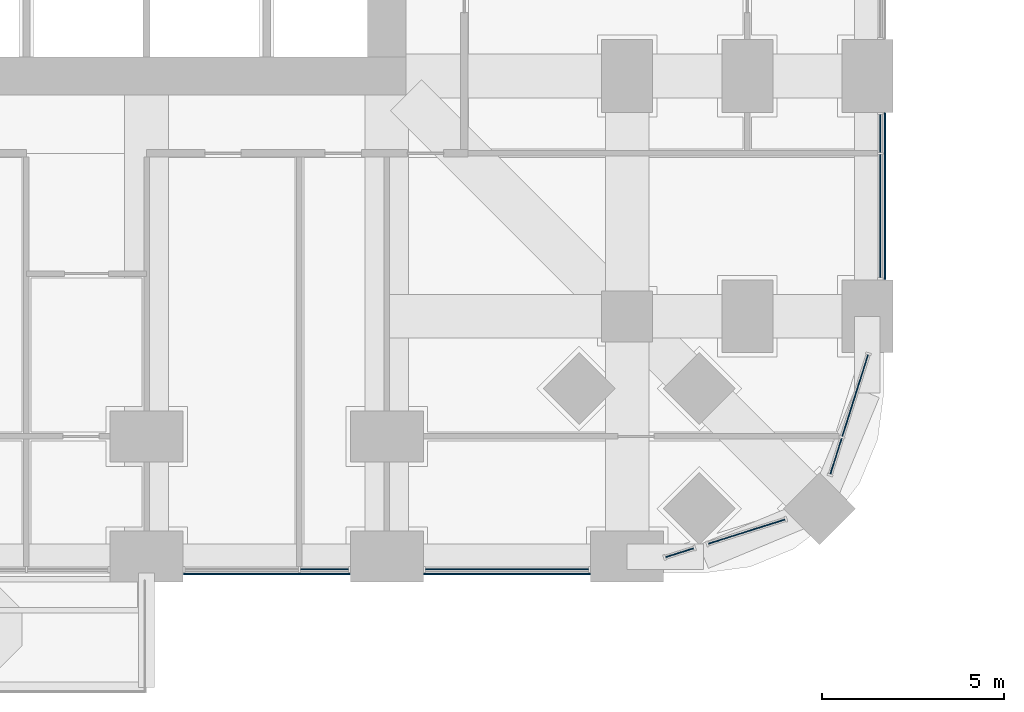
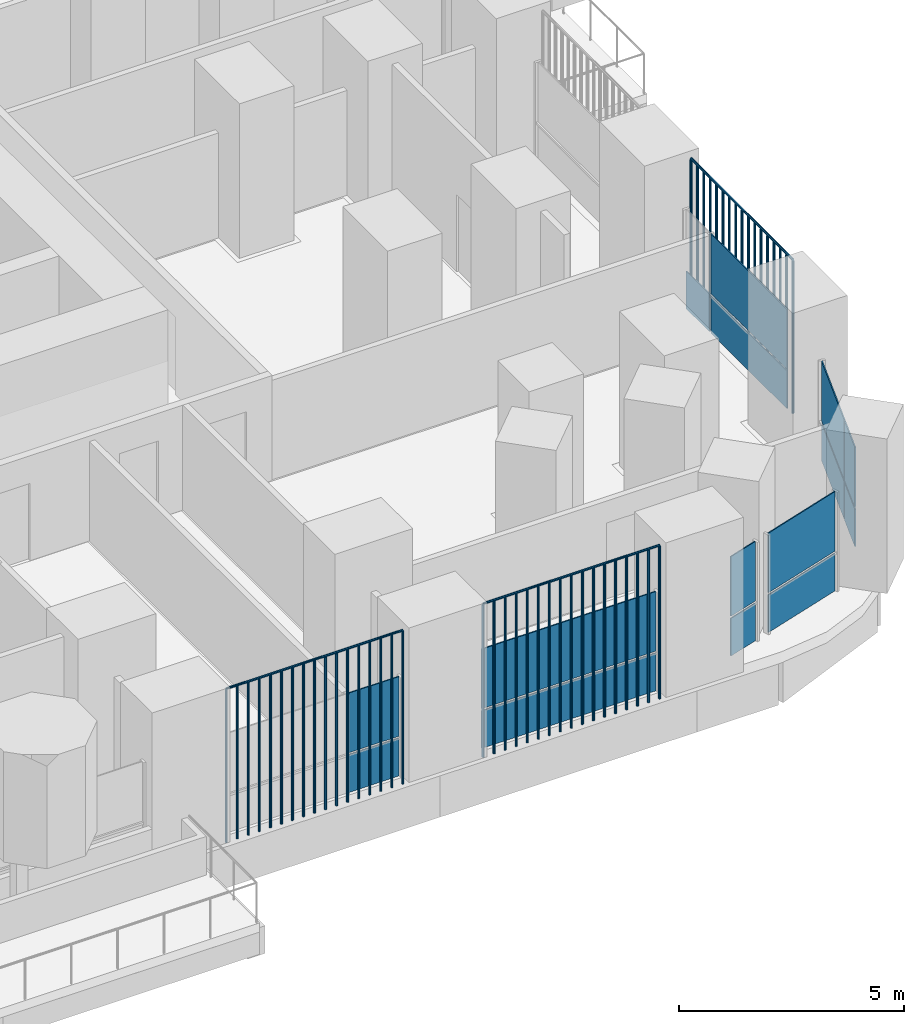
# One storey, part 12 of 24: 18 plates, 6 elements without a shape of their own.
"""IFC4 building model written with IfcOpenShell, lengths in metres."""

from ifc_helpers import new_model, si_unit, direction, frame, origin, origin_2d, place, context, subcontext, project, spatial, polyline, rectangle, outline, extrude, material, layer, layer_set, type_object, element, aggregate, save


model = new_model("IFC4")

# Units and contexts
model_context = context("Model", 3, precision=1e-05, world=origin(), true_north=direction((0.0, 1.0)))
body_context = subcontext(model_context, "Body", "Model", "MODEL_VIEW")
ifc_project = project(units=[si_unit("LENGTHUNIT", "METRE"), si_unit("AREAUNIT", "SQUARE_METRE"), si_unit("VOLUMEUNIT", "CUBIC_METRE"), si_unit("PLANEANGLEUNIT", "RADIAN"), si_unit("MASSUNIT", "GRAM", prefix="KILO")], contexts=[model_context])

# Site, building, storey
site_placement = place(None, origin())
site = spatial("IfcSite", under=ifc_project, at=site_placement, CompositionType="ELEMENT")
building_placement = place(site_placement, origin())
building = spatial("IfcBuilding", under=site, at=building_placement, Name="Cobogo Forest Laboratory Tower", CompositionType="ELEMENT")
storey_placement = place(building_placement, frame((0.0, 0.0, 17.10009765625)))
storey = spatial("IfcBuildingStorey", under=building, at=storey_placement, Name="L03", CompositionType="ELEMENT", Elevation=17.10009765625)

# Curtain wall, plates
ifc_material_1 = material(Name="Aluminium curtain wall", Category="aluminium")
curtain_wall_type = type_object("IfcCurtainWallType", Name="CW-1 unitised curtain wall, clear glazing, laboratory floors zones A and B", PredefinedType="USERDEFINED", material=ifc_material_1)
curtain_wall_1_placement = place(storey_placement, origin())
curtain_wall_1 = element("IfcCurtainWall", 1, at=curtain_wall_1_placement, inside=storey, type_object=curtain_wall_type, Name="Curtain wall 05 L03", ObjectType="UNITISED CURTAIN WALL", PredefinedType="USERDEFINED")
ifc_material_2 = material(Name="Clear insulated glass", Category="glass")
ifc_layer = layer(ifc_material_2, 0.028076171875)
ifc_layer_set = layer_set([ifc_layer], Name="GP-1 clear insulated glass unit 28")
plate_type_1 = type_object("IfcPlateType", Name="GP-1 clear insulated glass unit 28", PredefinedType="CURTAIN_PANEL", material=ifc_layer_set)
plate_1_placement = place(storey_placement, frame((37.885009765625, -0.35009765625, 0.0), z_axis=(0.0, 0.0, 1.0), x_axis=(1.0, 0.0, 0.0)))
plate_1 = element("IfcPlate", 2, at=plate_1_placement, type_object=plate_type_1, Name="CW-1 panel 2.1", PredefinedType="CURTAIN_PANEL", context=body_context, shape_type="SweptSolid", body=[
    extrude(rectangle(XDim=1.31005859375, YDim=0.028076171875, at=origin_2d()), origin(), (0.0, 0.0, 1.0), 1.02001953125),
])
plate_2_placement = place(storey_placement, frame((37.885009765625, -0.35009765625, 1.079833984375), z_axis=(0.0, 0.0, 1.0), x_axis=(1.0, 0.0, 0.0)))
plate_2 = element("IfcPlate", 3, at=plate_2_placement, type_object=plate_type_1, Name="CW-1 panel 2.2", PredefinedType="CURTAIN_PANEL", context=body_context, shape_type="SweptSolid", body=[
    extrude(rectangle(XDim=1.31005859375, YDim=0.028076171875, at=origin_2d()), origin(), (0.0, 0.0, 1.0), 1.6201171875),
])
aggregate(curtain_wall_1, [plate_1, plate_2])

curtain_wall_2_placement = place(storey_placement, origin())
curtain_wall_2 = element("IfcCurtainWall", 4, at=curtain_wall_2_placement, inside=storey, type_object=curtain_wall_type, Name="Curtain wall 06 L03", ObjectType="UNITISED CURTAIN WALL", PredefinedType="USERDEFINED")
plate_3_placement = place(storey_placement, frame((42.89990234375, -0.35009765625, 0.0), z_axis=(0.0, 0.0, 1.0), x_axis=(1.0, 0.0, 0.0)))
plate_3 = element("IfcPlate", 5, at=plate_3_placement, type_object=plate_type_1, Name="CW-1 panel 1.1", PredefinedType="CURTAIN_PANEL", context=body_context, shape_type="SweptSolid", body=[
    extrude(rectangle(XDim=4.47998046875, YDim=0.028076171875, at=origin_2d()), origin(), (0.0, 0.0, 1.0), 1.02001953125),
])
plate_4_placement = place(storey_placement, frame((42.89990234375, -0.35009765625, 1.079833984375), z_axis=(0.0, 0.0, 1.0), x_axis=(1.0, 0.0, 0.0)))
plate_4 = element("IfcPlate", 6, at=plate_4_placement, type_object=plate_type_1, Name="CW-1 panel 1.2", PredefinedType="CURTAIN_PANEL", context=body_context, shape_type="SweptSolid", body=[
    extrude(rectangle(XDim=4.47998046875, YDim=0.028076171875, at=origin_2d()), origin(), (0.0, 0.0, 1.0), 1.6201171875),
])
aggregate(curtain_wall_2, [plate_3, plate_4])

curtain_wall_3_placement = place(storey_placement, origin())
curtain_wall_3 = element("IfcCurtainWall", 7, at=curtain_wall_3_placement, inside=storey, type_object=curtain_wall_type, Name="Curtain wall 07 L03", ObjectType="UNITISED CURTAIN WALL", PredefinedType="USERDEFINED")
plate_5_placement = place(storey_placement, frame((47.640869140625, 0.10498046875, 0.0), z_axis=(0.0, 0.0, 1.0), x_axis=(0.953581406818, 0.301135352577, 0.0)))
plate_5 = element("IfcPlate", 8, at=plate_5_placement, type_object=plate_type_1, Name="CW-1 panel 1.1", PredefinedType="CURTAIN_PANEL", context=body_context, shape_type="SweptSolid", body=[
    extrude(rectangle(XDim=0.804931640625, YDim=0.028076171875, at=origin_2d()), origin(), (0.0, 0.0, 1.0), 1.02001953125),
])
plate_6_placement = place(storey_placement, frame((47.640869140625, 0.10498046875, 1.079833984375), z_axis=(0.0, 0.0, 1.0), x_axis=(0.953581406818, 0.301135352577, 0.0)))
plate_6 = element("IfcPlate", 9, at=plate_6_placement, type_object=plate_type_1, Name="CW-1 panel 1.2", PredefinedType="CURTAIN_PANEL", context=body_context, shape_type="SweptSolid", body=[
    extrude(rectangle(XDim=0.804931640625, YDim=0.028076171875, at=origin_2d()), origin(), (0.0, 0.0, 1.0), 1.6201171875),
])
aggregate(curtain_wall_3, [plate_5, plate_6])

curtain_wall_4_placement = place(storey_placement, origin())
curtain_wall_4 = element("IfcCurtainWall", 10, at=curtain_wall_4_placement, inside=storey, type_object=curtain_wall_type, Name="Curtain wall 08 L03", ObjectType="UNITISED CURTAIN WALL", PredefinedType="USERDEFINED")
plate_7_placement = place(storey_placement, frame((49.482177734375, 0.6865234375, 0.0), z_axis=(0.0, 0.0, 1.0), x_axis=(0.953581409645, 0.301135343623, 0.0)))
plate_7 = element("IfcPlate", 11, at=plate_7_placement, type_object=plate_type_1, Name="CW-1 panel 1.1", PredefinedType="CURTAIN_PANEL", context=body_context, shape_type="SweptSolid", body=[
    extrude(rectangle(XDim=2.203369140625, YDim=0.028076171875, at=origin_2d()), origin(), (0.0, 0.0, 1.0), 1.02001953125),
])
plate_8_placement = place(storey_placement, frame((49.482177734375, 0.6865234375, 1.079833984375), z_axis=(0.0, 0.0, 1.0), x_axis=(0.953581409645, 0.301135343623, 0.0)))
plate_8 = element("IfcPlate", 12, at=plate_8_placement, type_object=plate_type_1, Name="CW-1 panel 1.2", PredefinedType="CURTAIN_PANEL", context=body_context, shape_type="SweptSolid", body=[
    extrude(rectangle(XDim=2.203369140625, YDim=0.028076171875, at=origin_2d()), origin(), (0.0, 0.0, 1.0), 1.6201171875),
])
aggregate(curtain_wall_4, [plate_7, plate_8])

curtain_wall_5_placement = place(storey_placement, origin())
curtain_wall_5 = element("IfcCurtainWall", 13, at=curtain_wall_5_placement, inside=storey, type_object=curtain_wall_type, Name="Curtain wall 09 L03", ObjectType="UNITISED CURTAIN WALL", PredefinedType="USERDEFINED")
plate_9_placement = place(storey_placement, frame((51.9365234375, 2.75732421875, 0.0), z_axis=(0.0, 0.0, 1.0), x_axis=(0.301135433696, 0.953581381201, 0.0)))
plate_9 = element("IfcPlate", 14, at=plate_9_placement, type_object=plate_type_1, Name="CW-1 panel 1.1", PredefinedType="CURTAIN_PANEL", context=body_context, shape_type="SweptSolid", body=[
    extrude(rectangle(XDim=1.027587890625, YDim=0.028076171875, at=origin_2d()), origin(), (0.0, 0.0, 1.0), 1.02001953125),
])
plate_10_placement = place(storey_placement, frame((51.9365234375, 2.75732421875, 1.079833984375), z_axis=(0.0, 0.0, 1.0), x_axis=(0.301135433696, 0.953581381201, 0.0)))
plate_10 = element("IfcPlate", 15, at=plate_10_placement, type_object=plate_type_1, Name="CW-1 panel 1.2", PredefinedType="CURTAIN_PANEL", context=body_context, shape_type="SweptSolid", body=[
    extrude(rectangle(XDim=1.027587890625, YDim=0.028076171875, at=origin_2d()), origin(), (0.0, 0.0, 1.0), 1.6201171875),
])
plate_11_placement = place(storey_placement, frame((52.462646484375, 4.423583984375, 0.0), z_axis=(0.0, 0.0, 1.0), x_axis=(0.301135433696, 0.953581381201, 0.0)))
plate_11 = element("IfcPlate", 16, at=plate_11_placement, type_object=plate_type_1, Name="CW-1 panel 2.1", PredefinedType="CURTAIN_PANEL", context=body_context, shape_type="SweptSolid", body=[
    extrude(rectangle(XDim=2.34716796875, YDim=0.028076171875, at=origin_2d()), origin(), (0.0, 0.0, 1.0), 1.02001953125),
])
plate_12_placement = place(storey_placement, frame((52.462646484375, 4.423583984375, 1.079833984375), z_axis=(0.0, 0.0, 1.0), x_axis=(0.301135433696, 0.953581381201, 0.0)))
plate_12 = element("IfcPlate", 17, at=plate_12_placement, type_object=plate_type_1, Name="CW-1 panel 2.2", PredefinedType="CURTAIN_PANEL", context=body_context, shape_type="SweptSolid", body=[
    extrude(rectangle(XDim=2.34716796875, YDim=0.028076171875, at=origin_2d()), origin(), (0.0, 0.0, 1.0), 1.6201171875),
])
aggregate(curtain_wall_5, [plate_9, plate_10, plate_11, plate_12])

curtain_wall_6_placement = place(storey_placement, origin())
curtain_wall_6 = element("IfcCurtainWall", 18, at=curtain_wall_6_placement, inside=storey, type_object=curtain_wall_type, Name="Curtain wall 10 L03", ObjectType="UNITISED CURTAIN WALL", PredefinedType="USERDEFINED")
plate_13_placement = place(storey_placement, frame((53.14990234375, 9.3525390625, 0.0), z_axis=(0.0, 0.0, 1.0), x_axis=(0.0, 1.0, 0.0)))
plate_13 = element("IfcPlate", 19, at=plate_13_placement, type_object=plate_type_1, Name="CW-1 panel 1.1", PredefinedType="CURTAIN_PANEL", context=body_context, shape_type="SweptSolid", body=[
    extrude(rectangle(XDim=3.385009765625, YDim=0.028076171875, at=origin_2d()), origin(), (0.0, 0.0, 1.0), 1.02001953125),
])
plate_14_placement = place(storey_placement, frame((53.14990234375, 9.3525390625, 1.079833984375), z_axis=(0.0, 0.0, 1.0), x_axis=(0.0, 1.0, 0.0)))
plate_14 = element("IfcPlate", 20, at=plate_14_placement, type_object=plate_type_1, Name="CW-1 panel 1.2", PredefinedType="CURTAIN_PANEL", context=body_context, shape_type="SweptSolid", body=[
    extrude(rectangle(XDim=3.385009765625, YDim=0.028076171875, at=origin_2d()), origin(), (0.0, 0.0, 1.0), 1.6201171875),
])
plate_15_placement = place(storey_placement, frame((53.14990234375, 11.62255859375, 0.0), z_axis=(0.0, 0.0, 1.0), x_axis=(0.0, 1.0, 0.0)))
plate_15 = element("IfcPlate", 21, at=plate_15_placement, type_object=plate_type_1, Name="CW-1 panel 2.1", PredefinedType="CURTAIN_PANEL", context=body_context, shape_type="SweptSolid", body=[
    extrude(rectangle(XDim=1.034912109375, YDim=0.028076171875, at=origin_2d()), origin(), (0.0, 0.0, 1.0), 1.02001953125),
])
aggregate(curtain_wall_6, [plate_13, plate_14, plate_15])

# Plates
ifc_material_3 = material(Name="Terracotta", Category="masonry")
plate_type_2 = type_object("IfcPlateType", Name="TB1 terracotta baguette screen", PredefinedType="USERDEFINED", material=ifc_material_3)
plate_16_placement = place(storey_placement, frame((34.03125, -0.477783203125, -0.150146484375)))
element("IfcPlate", 22, at=plate_16_placement, inside=storey, type_object=plate_type_2, Name="Baguette screen S5 L03", ObjectType="BAGUETTE SCREEN", PredefinedType="USERDEFINED", context=body_context, shape_type="SweptSolid", body=[
    extrude(outline(polyline([(0.02880859375, 0.011962890625), (0.011962890625, 0.02880859375), (-0.011962890625, 0.02880859375), (-0.02880859375, 0.011962890625), (-0.02880859375, -0.011962890625), (-0.011962890625, -0.02880859375), (0.011962890625, -0.02880859375), (0.02880859375, -0.011962890625), (0.02880859375, 0.011962890625)])), frame((0.0, 0.0, 4.168701171875), z_axis=(1.0, 0.0, 0.0), x_axis=(0.0, 1.0, 0.0)), (0.0, 0.0, 1.0), 4.53759765625),
    extrude(outline(polyline([(0.02880859375, 0.011962890625), (0.011962890625, 0.02880859375), (-0.011962890625, 0.02880859375), (-0.02880859375, 0.011962890625), (-0.02880859375, -0.011962890625), (-0.011962890625, -0.02880859375), (0.011962890625, -0.02880859375), (0.02880859375, -0.011962890625), (0.02880859375, 0.011962890625)])), origin(), (0.0, 0.0, 1.0), 4.137451171875),
    extrude(outline(polyline([(0.02880859375, 0.011962890625), (0.011962890625, 0.02880859375), (-0.011962890625, 0.02880859375), (-0.02880859375, 0.011962890625), (-0.02880859375, -0.011962890625), (-0.011962890625, -0.02880859375), (0.011962890625, -0.02880859375), (0.02880859375, -0.011962890625), (0.02880859375, 0.011962890625)])), frame((0.28369140625, 0.0, 0.0)), (0.0, 0.0, 1.0), 4.137451171875),
    extrude(outline(polyline([(0.02880859375, 0.011962890625), (0.011962890625, 0.02880859375), (-0.011962890625, 0.02880859375), (-0.02880859375, 0.011962890625), (-0.02880859375, -0.011962890625), (-0.011962890625, -0.02880859375), (0.011962890625, -0.02880859375), (0.02880859375, -0.011962890625), (0.02880859375, 0.011962890625)])), frame((0.567138671875, 0.0, 0.0)), (0.0, 0.0, 1.0), 4.137451171875),
    extrude(outline(polyline([(0.02880859375, 0.011962890625), (0.011962890625, 0.02880859375), (-0.011962890625, 0.02880859375), (-0.02880859375, 0.011962890625), (-0.02880859375, -0.011962890625), (-0.011962890625, -0.02880859375), (0.011962890625, -0.02880859375), (0.02880859375, -0.011962890625), (0.02880859375, 0.011962890625)])), frame((0.850830078125, 0.0, 0.0)), (0.0, 0.0, 1.0), 4.137451171875),
    extrude(outline(polyline([(0.02880859375, 0.011962890625), (0.011962890625, 0.02880859375), (-0.011962890625, 0.02880859375), (-0.02880859375, 0.011962890625), (-0.02880859375, -0.011962890625), (-0.011962890625, -0.02880859375), (0.011962890625, -0.02880859375), (0.02880859375, -0.011962890625), (0.02880859375, 0.011962890625)])), frame((1.13427734375, 0.0, 0.0)), (0.0, 0.0, 1.0), 4.137451171875),
    extrude(outline(polyline([(0.02880859375, 0.011962890625), (0.011962890625, 0.02880859375), (-0.011962890625, 0.02880859375), (-0.02880859375, 0.011962890625), (-0.02880859375, -0.011962890625), (-0.011962890625, -0.02880859375), (0.011962890625, -0.02880859375), (0.02880859375, -0.011962890625), (0.02880859375, 0.011962890625)])), frame((1.41796875, 0.0, 0.0)), (0.0, 0.0, 1.0), 4.137451171875),
    extrude(outline(polyline([(0.02880859375, 0.011962890625), (0.011962890625, 0.02880859375), (-0.011962890625, 0.02880859375), (-0.02880859375, 0.011962890625), (-0.02880859375, -0.011962890625), (-0.011962890625, -0.02880859375), (0.011962890625, -0.02880859375), (0.02880859375, -0.011962890625), (0.02880859375, 0.011962890625)])), frame((1.70166015625, 0.0, 0.0)), (0.0, 0.0, 1.0), 4.137451171875),
    extrude(outline(polyline([(0.02880859375, 0.011962890625), (0.011962890625, 0.02880859375), (-0.011962890625, 0.02880859375), (-0.02880859375, 0.011962890625), (-0.02880859375, -0.011962890625), (-0.011962890625, -0.02880859375), (0.011962890625, -0.02880859375), (0.02880859375, -0.011962890625), (0.02880859375, 0.011962890625)])), frame((1.985107421875, 0.0, 0.0)), (0.0, 0.0, 1.0), 4.137451171875),
    extrude(outline(polyline([(0.02880859375, 0.011962890625), (0.011962890625, 0.02880859375), (-0.011962890625, 0.02880859375), (-0.02880859375, 0.011962890625), (-0.02880859375, -0.011962890625), (-0.011962890625, -0.02880859375), (0.011962890625, -0.02880859375), (0.02880859375, -0.011962890625), (0.02880859375, 0.011962890625)])), frame((2.268798828125, 0.0, 0.0)), (0.0, 0.0, 1.0), 4.137451171875),
    extrude(outline(polyline([(0.02880859375, 0.011962890625), (0.011962890625, 0.02880859375), (-0.011962890625, 0.02880859375), (-0.02880859375, 0.011962890625), (-0.02880859375, -0.011962890625), (-0.011962890625, -0.02880859375), (0.011962890625, -0.02880859375), (0.02880859375, -0.011962890625), (0.02880859375, 0.011962890625)])), frame((2.552490234375, 0.0, 0.0)), (0.0, 0.0, 1.0), 4.137451171875),
    extrude(outline(polyline([(0.02880859375, 0.011962890625), (0.011962890625, 0.02880859375), (-0.011962890625, 0.02880859375), (-0.02880859375, 0.011962890625), (-0.02880859375, -0.011962890625), (-0.011962890625, -0.02880859375), (0.011962890625, -0.02880859375), (0.02880859375, -0.011962890625), (0.02880859375, 0.011962890625)])), frame((2.8359375, 0.0, 0.0)), (0.0, 0.0, 1.0), 4.137451171875),
    extrude(outline(polyline([(0.02880859375, 0.011962890625), (0.011962890625, 0.02880859375), (-0.011962890625, 0.02880859375), (-0.02880859375, 0.011962890625), (-0.02880859375, -0.011962890625), (-0.011962890625, -0.02880859375), (0.011962890625, -0.02880859375), (0.02880859375, -0.011962890625), (0.02880859375, 0.011962890625)])), frame((3.11962890625, 0.0, 0.0)), (0.0, 0.0, 1.0), 4.137451171875),
    extrude(outline(polyline([(0.02880859375, 0.011962890625), (0.011962890625, 0.02880859375), (-0.011962890625, 0.02880859375), (-0.02880859375, 0.011962890625), (-0.02880859375, -0.011962890625), (-0.011962890625, -0.02880859375), (0.011962890625, -0.02880859375), (0.02880859375, -0.011962890625), (0.02880859375, 0.011962890625)])), frame((3.4033203125, 0.0, 0.0)), (0.0, 0.0, 1.0), 4.137451171875),
    extrude(outline(polyline([(0.02880859375, 0.011962890625), (0.011962890625, 0.02880859375), (-0.011962890625, 0.02880859375), (-0.02880859375, 0.011962890625), (-0.02880859375, -0.011962890625), (-0.011962890625, -0.02880859375), (0.011962890625, -0.02880859375), (0.02880859375, -0.011962890625), (0.02880859375, 0.011962890625)])), frame((3.686767578125, 0.0, 0.0)), (0.0, 0.0, 1.0), 4.137451171875),
    extrude(outline(polyline([(0.02880859375, 0.011962890625), (0.011962890625, 0.02880859375), (-0.011962890625, 0.02880859375), (-0.02880859375, 0.011962890625), (-0.02880859375, -0.011962890625), (-0.011962890625, -0.02880859375), (0.011962890625, -0.02880859375), (0.02880859375, -0.011962890625), (0.02880859375, 0.011962890625)])), frame((3.970458984375, 0.0, 0.0)), (0.0, 0.0, 1.0), 4.137451171875),
    extrude(outline(polyline([(0.02880859375, 0.011962890625), (0.011962890625, 0.02880859375), (-0.011962890625, 0.02880859375), (-0.02880859375, 0.011962890625), (-0.02880859375, -0.011962890625), (-0.011962890625, -0.02880859375), (0.011962890625, -0.02880859375), (0.02880859375, -0.011962890625), (0.02880859375, 0.011962890625)])), frame((4.25390625, 0.0, 0.0)), (0.0, 0.0, 1.0), 4.137451171875),
    extrude(outline(polyline([(0.02880859375, 0.011962890625), (0.011962890625, 0.02880859375), (-0.011962890625, 0.02880859375), (-0.02880859375, 0.011962890625), (-0.02880859375, -0.011962890625), (-0.011962890625, -0.02880859375), (0.011962890625, -0.02880859375), (0.02880859375, -0.011962890625), (0.02880859375, 0.011962890625)])), frame((4.53759765625, 0.0, 0.0)), (0.0, 0.0, 1.0), 4.137451171875),
])
plate_17_placement = place(storey_placement, frame((40.63134765625, -0.477783203125, -0.150146484375)))
element("IfcPlate", 23, at=plate_17_placement, inside=storey, type_object=plate_type_2, Name="Baguette screen S6 L03", ObjectType="BAGUETTE SCREEN", PredefinedType="USERDEFINED", context=body_context, shape_type="SweptSolid", body=[
    extrude(outline(polyline([(0.02880859375, 0.011962890625), (0.011962890625, 0.02880859375), (-0.011962890625, 0.02880859375), (-0.02880859375, 0.011962890625), (-0.02880859375, -0.011962890625), (-0.011962890625, -0.02880859375), (0.011962890625, -0.02880859375), (0.02880859375, -0.011962890625), (0.02880859375, 0.011962890625)])), frame((0.0, 0.0, 4.168701171875), z_axis=(1.0, 0.0, 0.0), x_axis=(0.0, 1.0, 0.0)), (0.0, 0.0, 1.0), 4.537353515625),
    extrude(outline(polyline([(0.02880859375, 0.011962890625), (0.011962890625, 0.02880859375), (-0.011962890625, 0.02880859375), (-0.02880859375, 0.011962890625), (-0.02880859375, -0.011962890625), (-0.011962890625, -0.02880859375), (0.011962890625, -0.02880859375), (0.02880859375, -0.011962890625), (0.02880859375, 0.011962890625)])), origin(), (0.0, 0.0, 1.0), 4.137451171875),
    extrude(outline(polyline([(0.02880859375, 0.011962890625), (0.011962890625, 0.02880859375), (-0.011962890625, 0.02880859375), (-0.02880859375, 0.011962890625), (-0.02880859375, -0.011962890625), (-0.011962890625, -0.02880859375), (0.011962890625, -0.02880859375), (0.02880859375, -0.011962890625), (0.02880859375, 0.011962890625)])), frame((0.28369140625, 0.0, 0.0)), (0.0, 0.0, 1.0), 4.137451171875),
    extrude(outline(polyline([(0.02880859375, 0.011962890625), (0.011962890625, 0.02880859375), (-0.011962890625, 0.02880859375), (-0.02880859375, 0.011962890625), (-0.02880859375, -0.011962890625), (-0.011962890625, -0.02880859375), (0.011962890625, -0.02880859375), (0.02880859375, -0.011962890625), (0.02880859375, 0.011962890625)])), frame((0.567138671875, 0.0, 0.0)), (0.0, 0.0, 1.0), 4.137451171875),
    extrude(outline(polyline([(0.02880859375, 0.011962890625), (0.011962890625, 0.02880859375), (-0.011962890625, 0.02880859375), (-0.02880859375, 0.011962890625), (-0.02880859375, -0.011962890625), (-0.011962890625, -0.02880859375), (0.011962890625, -0.02880859375), (0.02880859375, -0.011962890625), (0.02880859375, 0.011962890625)])), frame((0.850830078125, 0.0, 0.0)), (0.0, 0.0, 1.0), 4.137451171875),
    extrude(outline(polyline([(0.02880859375, 0.011962890625), (0.011962890625, 0.02880859375), (-0.011962890625, 0.02880859375), (-0.02880859375, 0.011962890625), (-0.02880859375, -0.011962890625), (-0.011962890625, -0.02880859375), (0.011962890625, -0.02880859375), (0.02880859375, -0.011962890625), (0.02880859375, 0.011962890625)])), frame((1.13427734375, 0.0, 0.0)), (0.0, 0.0, 1.0), 4.137451171875),
    extrude(outline(polyline([(0.02880859375, 0.011962890625), (0.011962890625, 0.02880859375), (-0.011962890625, 0.02880859375), (-0.02880859375, 0.011962890625), (-0.02880859375, -0.011962890625), (-0.011962890625, -0.02880859375), (0.011962890625, -0.02880859375), (0.02880859375, -0.011962890625), (0.02880859375, 0.011962890625)])), frame((1.41796875, 0.0, 0.0)), (0.0, 0.0, 1.0), 4.137451171875),
    extrude(outline(polyline([(0.02880859375, 0.011962890625), (0.011962890625, 0.02880859375), (-0.011962890625, 0.02880859375), (-0.02880859375, 0.011962890625), (-0.02880859375, -0.011962890625), (-0.011962890625, -0.02880859375), (0.011962890625, -0.02880859375), (0.02880859375, -0.011962890625), (0.02880859375, 0.011962890625)])), frame((1.701416015625, 0.0, 0.0)), (0.0, 0.0, 1.0), 4.137451171875),
    extrude(outline(polyline([(0.02880859375, 0.011962890625), (0.011962890625, 0.02880859375), (-0.011962890625, 0.02880859375), (-0.02880859375, 0.011962890625), (-0.02880859375, -0.011962890625), (-0.011962890625, -0.02880859375), (0.011962890625, -0.02880859375), (0.02880859375, -0.011962890625), (0.02880859375, 0.011962890625)])), frame((1.985107421875, 0.0, 0.0)), (0.0, 0.0, 1.0), 4.137451171875),
    extrude(outline(polyline([(0.02880859375, 0.011962890625), (0.011962890625, 0.02880859375), (-0.011962890625, 0.02880859375), (-0.02880859375, 0.011962890625), (-0.02880859375, -0.011962890625), (-0.011962890625, -0.02880859375), (0.011962890625, -0.02880859375), (0.02880859375, -0.011962890625), (0.02880859375, 0.011962890625)])), frame((2.2685546875, 0.0, 0.0)), (0.0, 0.0, 1.0), 4.137451171875),
    extrude(outline(polyline([(0.02880859375, 0.011962890625), (0.011962890625, 0.02880859375), (-0.011962890625, 0.02880859375), (-0.02880859375, 0.011962890625), (-0.02880859375, -0.011962890625), (-0.011962890625, -0.02880859375), (0.011962890625, -0.02880859375), (0.02880859375, -0.011962890625), (0.02880859375, 0.011962890625)])), frame((2.55224609375, 0.0, 0.0)), (0.0, 0.0, 1.0), 4.137451171875),
    extrude(outline(polyline([(0.02880859375, 0.011962890625), (0.011962890625, 0.02880859375), (-0.011962890625, 0.02880859375), (-0.02880859375, 0.011962890625), (-0.02880859375, -0.011962890625), (-0.011962890625, -0.02880859375), (0.011962890625, -0.02880859375), (0.02880859375, -0.011962890625), (0.02880859375, 0.011962890625)])), frame((2.8359375, 0.0, 0.0)), (0.0, 0.0, 1.0), 4.137451171875),
    extrude(outline(polyline([(0.02880859375, 0.011962890625), (0.011962890625, 0.02880859375), (-0.011962890625, 0.02880859375), (-0.02880859375, 0.011962890625), (-0.02880859375, -0.011962890625), (-0.011962890625, -0.02880859375), (0.011962890625, -0.02880859375), (0.02880859375, -0.011962890625), (0.02880859375, 0.011962890625)])), frame((3.119384765625, 0.0, 0.0)), (0.0, 0.0, 1.0), 4.137451171875),
    extrude(outline(polyline([(0.02880859375, 0.011962890625), (0.011962890625, 0.02880859375), (-0.011962890625, 0.02880859375), (-0.02880859375, 0.011962890625), (-0.02880859375, -0.011962890625), (-0.011962890625, -0.02880859375), (0.011962890625, -0.02880859375), (0.02880859375, -0.011962890625), (0.02880859375, 0.011962890625)])), frame((3.403076171875, 0.0, 0.0)), (0.0, 0.0, 1.0), 4.137451171875),
    extrude(outline(polyline([(0.02880859375, 0.011962890625), (0.011962890625, 0.02880859375), (-0.011962890625, 0.02880859375), (-0.02880859375, 0.011962890625), (-0.02880859375, -0.011962890625), (-0.011962890625, -0.02880859375), (0.011962890625, -0.02880859375), (0.02880859375, -0.011962890625), (0.02880859375, 0.011962890625)])), frame((3.6865234375, 0.0, 0.0)), (0.0, 0.0, 1.0), 4.137451171875),
    extrude(outline(polyline([(0.02880859375, 0.011962890625), (0.011962890625, 0.02880859375), (-0.011962890625, 0.02880859375), (-0.02880859375, 0.011962890625), (-0.02880859375, -0.011962890625), (-0.011962890625, -0.02880859375), (0.011962890625, -0.02880859375), (0.02880859375, -0.011962890625), (0.02880859375, 0.011962890625)])), frame((3.97021484375, 0.0, 0.0)), (0.0, 0.0, 1.0), 4.137451171875),
    extrude(outline(polyline([(0.02880859375, 0.011962890625), (0.011962890625, 0.02880859375), (-0.011962890625, 0.02880859375), (-0.02880859375, 0.011962890625), (-0.02880859375, -0.011962890625), (-0.011962890625, -0.02880859375), (0.011962890625, -0.02880859375), (0.02880859375, -0.011962890625), (0.02880859375, 0.011962890625)])), frame((4.253662109375, 0.0, 0.0)), (0.0, 0.0, 1.0), 4.137451171875),
    extrude(outline(polyline([(0.02880859375, 0.011962890625), (0.011962890625, 0.02880859375), (-0.011962890625, 0.02880859375), (-0.02880859375, 0.011962890625), (-0.02880859375, -0.011962890625), (-0.011962890625, -0.02880859375), (0.011962890625, -0.02880859375), (0.02880859375, -0.011962890625), (0.02880859375, 0.011962890625)])), frame((4.537353515625, 0.0, 0.0)), (0.0, 0.0, 1.0), 4.137451171875),
])
plate_18_placement = place(storey_placement, frame((53.27783203125, 7.63134765625, -0.150146484375)))
element("IfcPlate", 24, at=plate_18_placement, inside=storey, type_object=plate_type_2, Name="Baguette screen E1 L03", ObjectType="BAGUETTE SCREEN", PredefinedType="USERDEFINED", context=body_context, shape_type="SweptSolid", body=[
    extrude(outline(polyline([(0.02880859375, 0.011962890625), (0.011962890625, 0.02880859375), (-0.011962890625, 0.02880859375), (-0.02880859375, 0.011962890625), (-0.02880859375, -0.011962890625), (-0.011962890625, -0.02880859375), (0.011962890625, -0.02880859375), (0.02880859375, -0.011962890625), (0.02880859375, 0.011962890625)])), frame((0.0, 0.0, 4.168701171875), z_axis=(0.0, 1.0, 0.0), x_axis=(-1.0, 0.0, 0.0)), (0.0, 0.0, 1.0), 4.537353515625),
    extrude(outline(polyline([(0.02880859375, 0.011962890625), (0.011962890625, 0.02880859375), (-0.011962890625, 0.02880859375), (-0.02880859375, 0.011962890625), (-0.02880859375, -0.011962890625), (-0.011962890625, -0.02880859375), (0.011962890625, -0.02880859375), (0.02880859375, -0.011962890625), (0.02880859375, 0.011962890625)])), origin(), (0.0, 0.0, 1.0), 4.137451171875),
    extrude(outline(polyline([(0.02880859375, 0.011962890625), (0.011962890625, 0.02880859375), (-0.011962890625, 0.02880859375), (-0.02880859375, 0.011962890625), (-0.02880859375, -0.011962890625), (-0.011962890625, -0.02880859375), (0.011962890625, -0.02880859375), (0.02880859375, -0.011962890625), (0.02880859375, 0.011962890625)])), frame((0.0, 0.28369140625, 0.0)), (0.0, 0.0, 1.0), 4.137451171875),
    extrude(outline(polyline([(0.02880859375, 0.011962890625), (0.011962890625, 0.02880859375), (-0.011962890625, 0.02880859375), (-0.02880859375, 0.011962890625), (-0.02880859375, -0.011962890625), (-0.011962890625, -0.02880859375), (0.011962890625, -0.02880859375), (0.02880859375, -0.011962890625), (0.02880859375, 0.011962890625)])), frame((0.0, 0.567138671875, 0.0)), (0.0, 0.0, 1.0), 4.137451171875),
    extrude(outline(polyline([(0.02880859375, 0.011962890625), (0.011962890625, 0.02880859375), (-0.011962890625, 0.02880859375), (-0.02880859375, 0.011962890625), (-0.02880859375, -0.011962890625), (-0.011962890625, -0.02880859375), (0.011962890625, -0.02880859375), (0.02880859375, -0.011962890625), (0.02880859375, 0.011962890625)])), frame((0.0, 0.850830078125, 0.0)), (0.0, 0.0, 1.0), 4.137451171875),
    extrude(outline(polyline([(0.02880859375, 0.011962890625), (0.011962890625, 0.02880859375), (-0.011962890625, 0.02880859375), (-0.02880859375, 0.011962890625), (-0.02880859375, -0.011962890625), (-0.011962890625, -0.02880859375), (0.011962890625, -0.02880859375), (0.02880859375, -0.011962890625), (0.02880859375, 0.011962890625)])), frame((0.0, 1.13427734375, 0.0)), (0.0, 0.0, 1.0), 4.137451171875),
    extrude(outline(polyline([(0.02880859375, 0.011962890625), (0.011962890625, 0.02880859375), (-0.011962890625, 0.02880859375), (-0.02880859375, 0.011962890625), (-0.02880859375, -0.011962890625), (-0.011962890625, -0.02880859375), (0.011962890625, -0.02880859375), (0.02880859375, -0.011962890625), (0.02880859375, 0.011962890625)])), frame((0.0, 1.41796875, 0.0)), (0.0, 0.0, 1.0), 4.137451171875),
    extrude(outline(polyline([(0.02880859375, 0.011962890625), (0.011962890625, 0.02880859375), (-0.011962890625, 0.02880859375), (-0.02880859375, 0.011962890625), (-0.02880859375, -0.011962890625), (-0.011962890625, -0.02880859375), (0.011962890625, -0.02880859375), (0.02880859375, -0.011962890625), (0.02880859375, 0.011962890625)])), frame((0.0, 1.701416015625, 0.0)), (0.0, 0.0, 1.0), 4.137451171875),
    extrude(outline(polyline([(0.02880859375, 0.011962890625), (0.011962890625, 0.02880859375), (-0.011962890625, 0.02880859375), (-0.02880859375, 0.011962890625), (-0.02880859375, -0.011962890625), (-0.011962890625, -0.02880859375), (0.011962890625, -0.02880859375), (0.02880859375, -0.011962890625), (0.02880859375, 0.011962890625)])), frame((0.0, 1.985107421875, 0.0)), (0.0, 0.0, 1.0), 4.137451171875),
    extrude(outline(polyline([(0.02880859375, 0.011962890625), (0.011962890625, 0.02880859375), (-0.011962890625, 0.02880859375), (-0.02880859375, 0.011962890625), (-0.02880859375, -0.011962890625), (-0.011962890625, -0.02880859375), (0.011962890625, -0.02880859375), (0.02880859375, -0.011962890625), (0.02880859375, 0.011962890625)])), frame((0.0, 2.2685546875, 0.0)), (0.0, 0.0, 1.0), 4.137451171875),
    extrude(outline(polyline([(0.02880859375, 0.011962890625), (0.011962890625, 0.02880859375), (-0.011962890625, 0.02880859375), (-0.02880859375, 0.011962890625), (-0.02880859375, -0.011962890625), (-0.011962890625, -0.02880859375), (0.011962890625, -0.02880859375), (0.02880859375, -0.011962890625), (0.02880859375, 0.011962890625)])), frame((0.0, 2.55224609375, 0.0)), (0.0, 0.0, 1.0), 4.137451171875),
    extrude(outline(polyline([(0.02880859375, 0.011962890625), (0.011962890625, 0.02880859375), (-0.011962890625, 0.02880859375), (-0.02880859375, 0.011962890625), (-0.02880859375, -0.011962890625), (-0.011962890625, -0.02880859375), (0.011962890625, -0.02880859375), (0.02880859375, -0.011962890625), (0.02880859375, 0.011962890625)])), frame((0.0, 2.8359375, 0.0)), (0.0, 0.0, 1.0), 4.137451171875),
    extrude(outline(polyline([(0.02880859375, 0.011962890625), (0.011962890625, 0.02880859375), (-0.011962890625, 0.02880859375), (-0.02880859375, 0.011962890625), (-0.02880859375, -0.011962890625), (-0.011962890625, -0.02880859375), (0.011962890625, -0.02880859375), (0.02880859375, -0.011962890625), (0.02880859375, 0.011962890625)])), frame((0.0, 3.119384765625, 0.0)), (0.0, 0.0, 1.0), 4.137451171875),
    extrude(outline(polyline([(0.02880859375, 0.011962890625), (0.011962890625, 0.02880859375), (-0.011962890625, 0.02880859375), (-0.02880859375, 0.011962890625), (-0.02880859375, -0.011962890625), (-0.011962890625, -0.02880859375), (0.011962890625, -0.02880859375), (0.02880859375, -0.011962890625), (0.02880859375, 0.011962890625)])), frame((0.0, 3.403076171875, 0.0)), (0.0, 0.0, 1.0), 4.137451171875),
    extrude(outline(polyline([(0.02880859375, 0.011962890625), (0.011962890625, 0.02880859375), (-0.011962890625, 0.02880859375), (-0.02880859375, 0.011962890625), (-0.02880859375, -0.011962890625), (-0.011962890625, -0.02880859375), (0.011962890625, -0.02880859375), (0.02880859375, -0.011962890625), (0.02880859375, 0.011962890625)])), frame((0.0, 3.6865234375, 0.0)), (0.0, 0.0, 1.0), 4.137451171875),
    extrude(outline(polyline([(0.02880859375, 0.011962890625), (0.011962890625, 0.02880859375), (-0.011962890625, 0.02880859375), (-0.02880859375, 0.011962890625), (-0.02880859375, -0.011962890625), (-0.011962890625, -0.02880859375), (0.011962890625, -0.02880859375), (0.02880859375, -0.011962890625), (0.02880859375, 0.011962890625)])), frame((0.0, 3.97021484375, 0.0)), (0.0, 0.0, 1.0), 4.137451171875),
    extrude(outline(polyline([(0.02880859375, 0.011962890625), (0.011962890625, 0.02880859375), (-0.011962890625, 0.02880859375), (-0.02880859375, 0.011962890625), (-0.02880859375, -0.011962890625), (-0.011962890625, -0.02880859375), (0.011962890625, -0.02880859375), (0.02880859375, -0.011962890625), (0.02880859375, 0.011962890625)])), frame((0.0, 4.253662109375, 0.0)), (0.0, 0.0, 1.0), 4.137451171875),
    extrude(outline(polyline([(0.02880859375, 0.011962890625), (0.011962890625, 0.02880859375), (-0.011962890625, 0.02880859375), (-0.02880859375, 0.011962890625), (-0.02880859375, -0.011962890625), (-0.011962890625, -0.02880859375), (0.011962890625, -0.02880859375), (0.02880859375, -0.011962890625), (0.02880859375, 0.011962890625)])), frame((0.0, 4.537353515625, 0.0)), (0.0, 0.0, 1.0), 4.137451171875),
])

save(model, "model.ifc")
